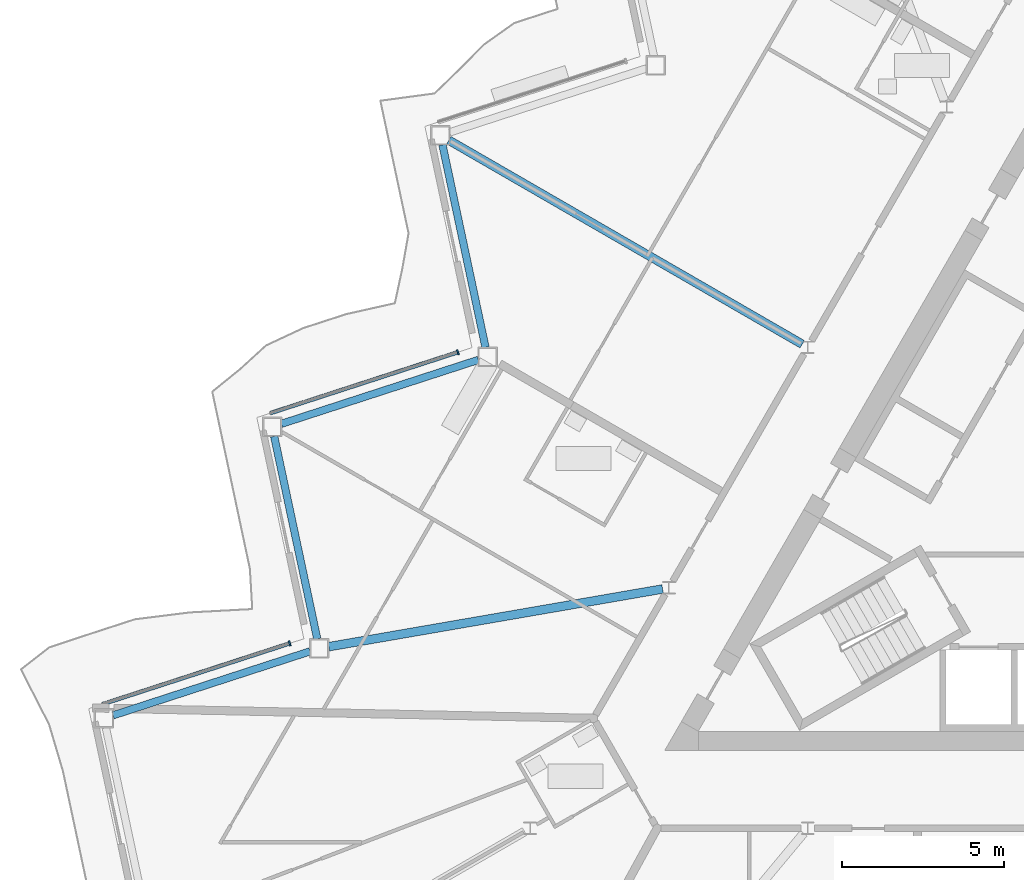
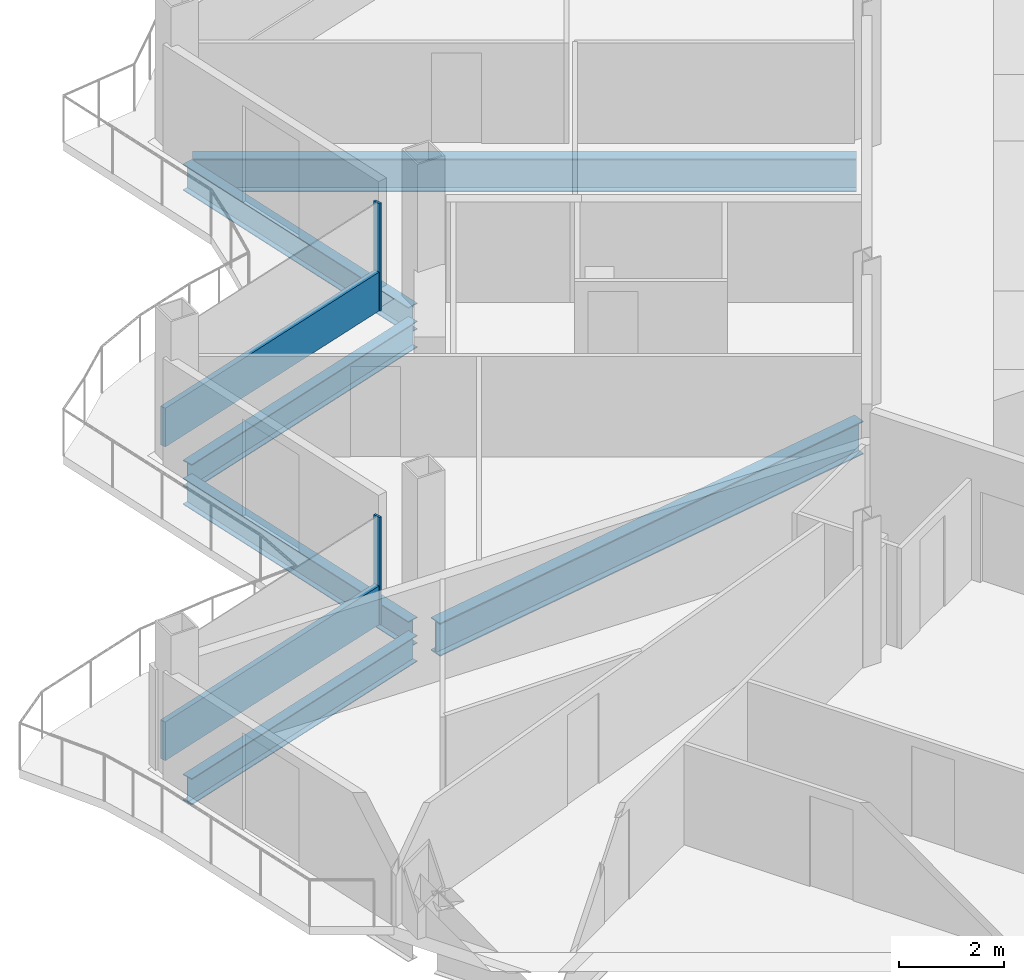
# One storey, part 6 of 27: 6 beams, 4 members, 2 elements without a shape of their own.
"""IFC4 building model written with IfcOpenShell, lengths in metres."""

from ifc_helpers import new_model, si_unit, direction, frame, origin, origin_2d, place, context, subcontext, project, spatial, rectangle, i_section, extrude, material, layer, layer_set, material_profile, profile_set, type_object, element, aggregate, save


model = new_model("IFC4")

# Units and contexts
model_context = context("Model", 3, precision=1e-05, world=origin(), true_north=direction((0.0, 1.0)))
body_context = subcontext(model_context, "Body", "Model", "MODEL_VIEW")
ifc_project = project(units=[si_unit("LENGTHUNIT", "METRE"), si_unit("AREAUNIT", "SQUARE_METRE"), si_unit("VOLUMEUNIT", "CUBIC_METRE"), si_unit("PLANEANGLEUNIT", "RADIAN"), si_unit("MASSUNIT", "GRAM", prefix="KILO")], contexts=[model_context])

# Site, building, storey
site_placement = place(None, origin())
site = spatial("IfcSite", under=ifc_project, at=site_placement, CompositionType="ELEMENT")
building_placement = place(site_placement, origin())
building = spatial("IfcBuilding", under=site, at=building_placement, Name="Cormorant Prow Tower", CompositionType="ELEMENT")
storey_placement = place(building_placement, frame((0.0, 0.0, 315.39990234375)))
storey = spatial("IfcBuildingStorey", under=building, at=storey_placement, Name="L69", CompositionType="ELEMENT", Elevation=315.39990234375)

# Beams
ifc_material_1 = material(Name="Structural steel ASTM A992 Gr 50", Category="steel")
ifc_material_profile_1 = material_profile(ifc_material_1, i_section(OverallWidth=0.267822265625, OverallDepth=0.77001953125, WebThickness=0.015625, FlangeThickness=0.025390625, at=origin_2d()), Name="W30x132")
ifc_profile_set_1 = profile_set([ifc_material_profile_1], Name="Structural steel ASTM A992 Gr 50")
beam_type_1 = type_object("IfcBeamType", Name="Radial floor beam W30x132", PredefinedType="BEAM", material=ifc_profile_set_1)
beam_1_placement = place(storey_placement, frame((-8.749755859375, 5.051513671875, -0.684814453125), z_axis=(-0.866021086443, 0.50000747778, 0.0), x_axis=(-0.50000747778, -0.866021086443, 0.0)))
element("IfcBeam", 1, at=beam_1_placement, inside=storey, type_object=beam_type_1, Name="Radial floor beam FB3 3 L69", PredefinedType="BEAM", context=body_context, shape_type="SweptSolid", body=[
    extrude(i_section(OverallWidth=0.267822265625, OverallDepth=0.77001953125, WebThickness=0.015625, FlangeThickness=0.025390625, at=origin_2d()), origin(), (0.0, 0.0, 1.0), 12.604736328125),
])
beam_2_placement = place(storey_placement, frame((-13.0625, -2.510009765625, -0.684814453125), z_axis=(-0.985379592304, -0.170373293304, 0.0), x_axis=(0.170373293304, -0.985379592304, 0.0)))
element("IfcBeam", 2, at=beam_2_placement, inside=storey, type_object=beam_type_1, Name="Radial floor beam FB3 4 L69", PredefinedType="BEAM", context=body_context, shape_type="SweptSolid", body=[
    extrude(i_section(OverallWidth=0.267822265625, OverallDepth=0.77001953125, WebThickness=0.015625, FlangeThickness=0.025390625, at=origin_2d()), origin(), (0.0, 0.0, 1.0), 10.465087890625),
])

# Curtain wall, member
ifc_material_2 = material(Name="Aluminium 6063-T6", Category="aluminium")
ifc_layer = layer(ifc_material_2, 0.159912109375)
ifc_layer_set = layer_set([ifc_layer], Name="Aluminium 6063-T6")
curtain_wall_type = type_object("IfcCurtainWallType", Name="Residential unitised curtain wall 160", PredefinedType="NOTDEFINED", material=ifc_layer_set)
curtain_wall_1_placement = place(storey_placement, origin())
curtain_wall_1 = element("IfcCurtainWall", 3, at=curtain_wall_1_placement, inside=storey, type_object=curtain_wall_type, Name="Residential curtain wall WNW06", PredefinedType="NOTDEFINED")
ifc_material_3 = material(Name="Aluminium 6063-T6", Category="aluminium")
ifc_material_profile_2 = material_profile(ifc_material_3, rectangle(XDim=0.159912109375, YDim=0.050048828125, at=origin_2d()), Name="Residential mullion 50x160")
ifc_profile_set_2 = profile_set([ifc_material_profile_2], Name="Aluminium 6063-T6")
member_type_1 = type_object("IfcMemberType", Name="Residential mullion 50x160", PredefinedType="MULLION", material=ifc_profile_set_2)
member_1_placement = place(storey_placement, frame((-19.38916015625, 4.80419921875, 0.0), z_axis=(0.0, 0.0, 1.0), x_axis=(0.309016987171, -0.951056518636, 0.0)))
member_1 = element("IfcMember", 4, at=member_1_placement, type_object=member_type_1, Name="Residential mullion WNW06", PredefinedType="MULLION", context=body_context, shape_type="SweptSolid", body=[
    extrude(rectangle(XDim=0.159912109375, YDim=0.050048828125, at=origin_2d()), origin(), (0.0, 0.0, 1.0), 2.488037109375),
])

curtain_wall_2_placement = place(storey_placement, origin())
curtain_wall_2 = element("IfcCurtainWall", 5, at=curtain_wall_2_placement, inside=storey, type_object=curtain_wall_type, Name="Residential curtain wall WNW08", PredefinedType="NOTDEFINED")
member_2_placement = place(storey_placement, frame((-24.58203125, -4.18994140625, 0.0), z_axis=(0.0, 0.0, 1.0), x_axis=(0.309016945109, -0.951056532303, 0.0)))
member_2 = element("IfcMember", 6, at=member_2_placement, type_object=member_type_1, Name="Residential mullion WNW08", PredefinedType="MULLION", context=body_context, shape_type="SweptSolid", body=[
    extrude(rectangle(XDim=0.159912109375, YDim=0.050048828125, at=origin_2d()), origin(), (0.0, 0.0, 1.0), 2.488037109375),
])

# Member
ifc_material_4 = material(Name="Terracotta", Category="masonry")
ifc_material_profile_3 = material_profile(ifc_material_4, rectangle(XDim=0.1201171875, YDim=0.89990234375, at=origin_2d()), Name="Residential terracotta spandrel rail 120x900")
ifc_profile_set_3 = profile_set([ifc_material_profile_3], Name="Terracotta")
member_type_2 = type_object("IfcMemberType", Name="Residential terracotta spandrel rail 120x900", PredefinedType="USERDEFINED", material=ifc_profile_set_3)
member_3_placement = place(storey_placement, frame((-19.412841796875, 4.796630859375, 0.4501953125), z_axis=(-0.951053279859, -0.309026954923, 0.0), x_axis=(0.309026954923, -0.951053279859, 0.0)))
member_3 = element("IfcMember", 7, at=member_3_placement, type_object=member_type_2, Name="Residential spandrel rail WNW06", ObjectType="TRANSOM", PredefinedType="USERDEFINED", context=body_context, shape_type="SweptSolid", body=[
    extrude(rectangle(XDim=0.1201171875, YDim=0.89990234375, at=origin_2d()), origin(), (0.0, 0.0, 1.0), 6.06982421875),
])

aggregate(curtain_wall_1, [member_1, member_3])

member_4_placement = place(storey_placement, frame((-24.605712890625, -4.19775390625, 0.4501953125), z_axis=(-0.951065100651, -0.308990573195, 0.0), x_axis=(0.308990573195, -0.951065100651, 0.0)))
member_4 = element("IfcMember", 8, at=member_4_placement, type_object=member_type_2, Name="Residential spandrel rail WNW08", ObjectType="TRANSOM", PredefinedType="USERDEFINED", context=body_context, shape_type="SweptSolid", body=[
    extrude(rectangle(XDim=0.1201171875, YDim=0.89990234375, at=origin_2d()), origin(), (0.0, 0.0, 1.0), 6.06982421875),
])

aggregate(curtain_wall_2, [member_2, member_4])

# Beams
ifc_material_5 = material(Name="Structural steel ASTM A992 Gr 50", Category="steel")
ifc_material_profile_4 = material_profile(ifc_material_5, i_section(OverallWidth=0.22900390625, OverallDepth=0.612060546875, WebThickness=0.011962890625, FlangeThickness=0.01953125, at=origin_2d()), Name="W24x84")
ifc_profile_set_4 = profile_set([ifc_material_profile_4], Name="Structural steel ASTM A992 Gr 50")
beam_type_2 = type_object("IfcBeamType", Name="Spandrel beam W24x84", PredefinedType="SPANDREL", material=ifc_profile_set_4)
beam_3_placement = place(storey_placement, frame((-19.86328125, 11.210693359375, -0.60595703125), z_axis=(0.20791262393, -0.978147402394, 0.0), x_axis=(0.978147402394, 0.20791262393, 0.0)))
element("IfcBeam", 9, at=beam_3_placement, inside=storey, type_object=beam_type_2, Name="Spandrel beam SB3 WNW05-WNW06 L69", PredefinedType="SPANDREL", context=body_context, shape_type="SweptSolid", body=[
    extrude(i_section(OverallWidth=0.22900390625, OverallDepth=0.612060546875, WebThickness=0.011962890625, FlangeThickness=0.01953125, at=origin_2d()), origin(), (0.0, 0.0, 1.0), 6.396240234375),
])
beam_4_placement = place(storey_placement, frame((-18.75634765625, 4.568115234375, -0.60595703125), z_axis=(-0.951064359156, -0.308992855489, 0.0), x_axis=(0.308992855489, -0.951064359156, 0.0)))
element("IfcBeam", 10, at=beam_4_placement, inside=storey, type_object=beam_type_2, Name="Spandrel beam SB3 WNW06-WNW07 L69", PredefinedType="SPANDREL", context=body_context, shape_type="SweptSolid", body=[
    extrude(i_section(OverallWidth=0.22900390625, OverallDepth=0.612060546875, WebThickness=0.011962890625, FlangeThickness=0.01953125, at=origin_2d()), origin(), (0.0, 0.0, 1.0), 6.39599609375),
])
beam_5_placement = place(storey_placement, frame((-25.062255859375, 2.20556640625, -0.60595703125), z_axis=(0.20791262393, -0.978147402394, 0.0), x_axis=(0.978147402394, 0.20791262393, 0.0)))
element("IfcBeam", 11, at=beam_5_placement, inside=storey, type_object=beam_type_2, Name="Spandrel beam SB3 WNW07-WNW08 L69", PredefinedType="SPANDREL", context=body_context, shape_type="SweptSolid", body=[
    extrude(i_section(OverallWidth=0.22900390625, OverallDepth=0.612060546875, WebThickness=0.011962890625, FlangeThickness=0.01953125, at=origin_2d()), origin(), (0.0, 0.0, 1.0), 6.396240234375),
])
beam_6_placement = place(storey_placement, frame((-23.955322265625, -4.43701171875, -0.60595703125), z_axis=(-0.951064359156, -0.308992855489, 0.0), x_axis=(0.308992855489, -0.951064359156, 0.0)))
element("IfcBeam", 12, at=beam_6_placement, inside=storey, type_object=beam_type_2, Name="Spandrel beam SB3 WNW08-WNW09 L69", PredefinedType="SPANDREL", context=body_context, shape_type="SweptSolid", body=[
    extrude(i_section(OverallWidth=0.22900390625, OverallDepth=0.612060546875, WebThickness=0.011962890625, FlangeThickness=0.01953125, at=origin_2d()), origin(), (0.0, 0.0, 1.0), 6.39599609375),
])

save(model, "model.ifc")
